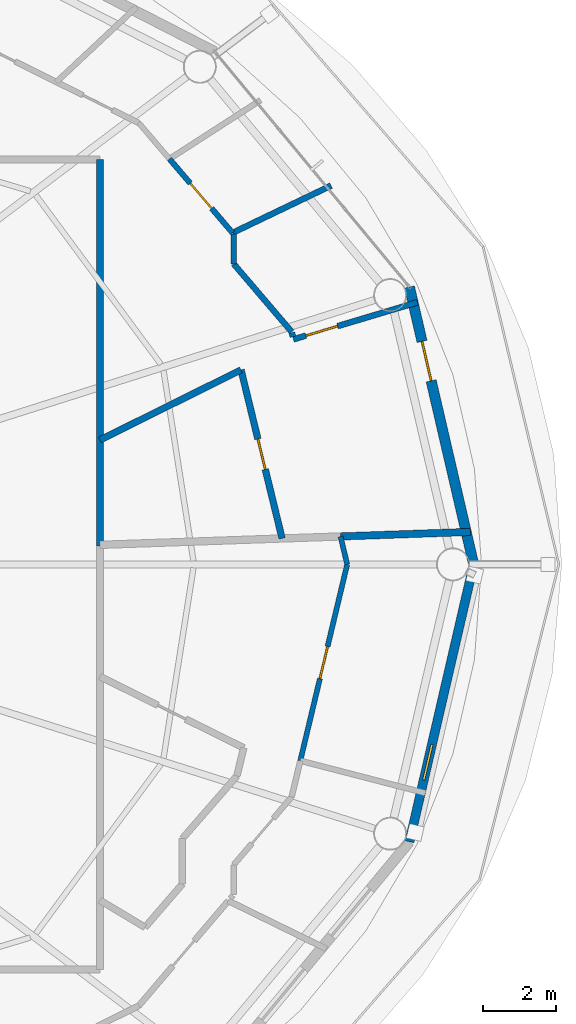
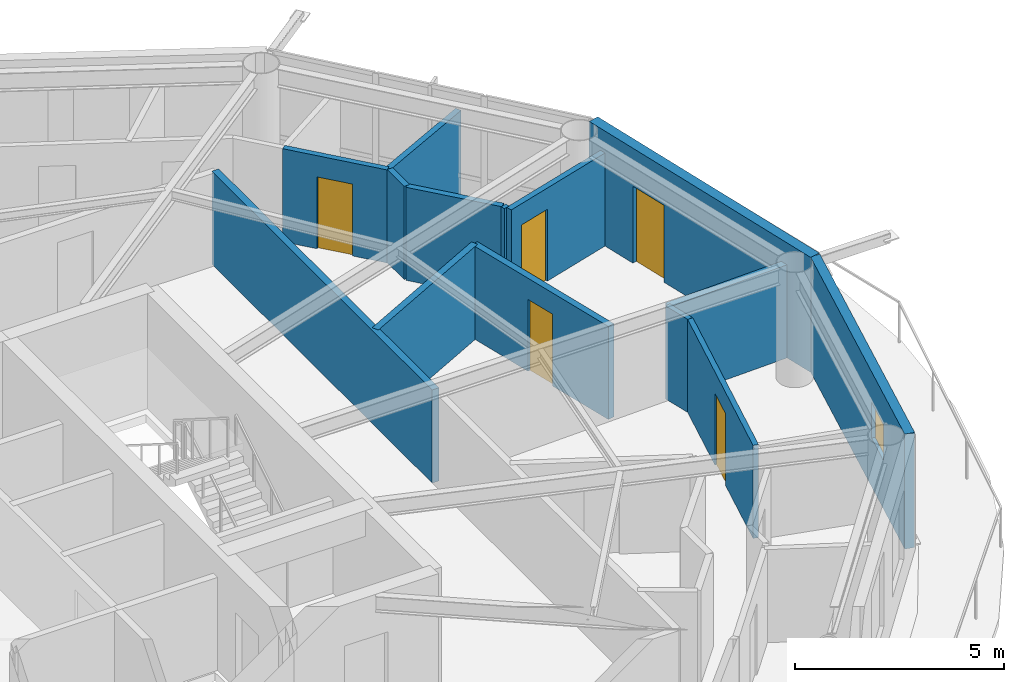
# One storey, part 18 of 23: 14 walls, 5 doors, 1 window, 6 openings.
"""IFC4 building model written with IfcOpenShell, lengths in metres."""

import ifcopenshell
import ifcopenshell.guid

model = None  # the IFC model being written
_history = None  # IfcOwnerHistory: only IFC2X3 demands one
_inside = {}  # id of a spatial element -> (the spatial element, [elements in it])
_under = {}  # id of a project, library or spatial element -> (it, [spatial elements below it])
_declared = {}  # id of a project -> (the project, [libraries it declares])
_typed = {}  # id of a type object -> (the type object, [elements of that type])
_made_of = {}  # id of a material, layer set ... -> (it, [elements and type objects made of it])


def new_model(schema):
    """Start an empty IFC model of exactly this schema.

    Asked for "IFC4X3", IfcOpenShell would pick the latest addendum, in which some entities
    have other attributes; the version numbers below select the first issue.
    IFC2X3 requires an IfcOwnerHistory on every rooted entity: one is made here for all.
    """
    global model, _history
    if schema == "IFC4X3":
        model = ifcopenshell.file(schema_version=(4, 3, 0, 0))
    else:
        model = ifcopenshell.file(schema=schema)
    _inside.clear()
    _under.clear()
    _declared.clear()
    _typed.clear()
    _made_of.clear()
    _history = None
    if model.schema == "IFC2X3":
        org = make("IfcOrganization", Name="unknown")
        user = make(
            "IfcPersonAndOrganization",
            ThePerson=make("IfcPerson", FamilyName="unknown"),
            TheOrganization=org,
        )
        app = make(
            "IfcApplication",
            ApplicationDeveloper=org,
            Version="unknown",
            ApplicationFullName="unknown",
            ApplicationIdentifier="unknown",
        )
        _history = make(
            "IfcOwnerHistory",
            OwningUser=user,
            OwningApplication=app,
            ChangeAction="ADDED",
            CreationDate=0,
        )
    return model


def make(cls, **values):
    """One entity of the class cls with the attributes given. An attribute that is None is left unset."""
    return model.create_entity(
        cls, **{name: value for name, value in values.items() if value is not None}
    )


def rooted(cls, **values):
    """An entity with a GlobalId (a new one), such as an element, a storey or a relation."""
    return make(cls, GlobalId=ifcopenshell.guid.new(), OwnerHistory=_history, **values)


def si_unit(unit_type, name, prefix=None):
    """IfcSIUnit, for example si_unit("LENGTHUNIT", "METRE", prefix="MILLI")."""
    return make("IfcSIUnit", UnitType=unit_type, Prefix=prefix, Name=name)


def assignment(units):
    """IfcUnitAssignment: the units of a project."""
    return None if units is None else make("IfcUnitAssignment", Units=units)


def point(xyz):
    """IfcCartesianPoint."""
    return None if xyz is None else make("IfcCartesianPoint", Coordinates=xyz)


def direction(xyz):
    """IfcDirection."""
    return None if xyz is None else make("IfcDirection", DirectionRatios=xyz)


def frame(location, z_axis=None, x_axis=None):
    """IfcAxis2Placement3D, a coordinate frame: its origin and axes. An axis left out is left unset."""
    return make(
        "IfcAxis2Placement3D",
        Location=point(location),
        Axis=direction(z_axis),
        RefDirection=direction(x_axis),
    )


def frame_2d(location, x_axis=None):
    """IfcAxis2Placement2D, a coordinate frame in the plane: its origin and x axis."""
    return make(
        "IfcAxis2Placement2D", Location=point(location), RefDirection=direction(x_axis)
    )


def origin():
    """The frame at (0, 0, 0) with its axes left unset."""
    return frame((0.0, 0.0, 0.0))


def place(relative_to, where):
    """IfcLocalPlacement: puts the frame where relative to a parent placement (None: the world)."""
    return make(
        "IfcLocalPlacement", PlacementRelTo=relative_to, RelativePlacement=where
    )


def context(
    kind, dimensions, precision=None, world=None, true_north=None, identifier=None
):
    """IfcGeometricRepresentationContext, for example the 3D "Model" context."""
    return make(
        "IfcGeometricRepresentationContext",
        ContextIdentifier=identifier,
        ContextType=kind,
        CoordinateSpaceDimension=dimensions,
        Precision=precision,
        WorldCoordinateSystem=world,
        TrueNorth=true_north,
    )


def subcontext(parent, identifier, kind, view, scale=None):
    """IfcGeometricRepresentationSubContext, for example "Body" below "Model"."""
    return make(
        "IfcGeometricRepresentationSubContext",
        ContextIdentifier=identifier,
        ContextType=kind,
        ParentContext=parent,
        TargetScale=scale,
        TargetView=view,
    )


def project(units=None, contexts=None):
    """IfcProject with its units and contexts."""
    return rooted(
        "IfcProject",
        Name="project",
        RepresentationContexts=contexts,
        UnitsInContext=assignment(units),
    )


def spatial(cls, under=None, at=None, **own):
    """A site, building, storey or space (cls), placed at a placement, below another one or the project."""
    s = rooted(cls, ObjectPlacement=at, **own)
    if under is not None:
        _under.setdefault(under.id(), (under, []))[1].append(s)
    return s


def profile(cls, at=None, kind="AREA", **sizes):
    """A parametric profile (cls). Its sizes go by their IFC names, for example OverallWidth=200.0."""
    return make(cls, ProfileType=kind, Position=at, **sizes)


def rectangle(**sizes):
    """IfcRectangleProfileDef."""
    return profile("IfcRectangleProfileDef", **sizes)


def extrude(swept, where, along, depth):
    """IfcExtrudedAreaSolid: the profile swept, set in the frame where, extruded along a direction by depth."""
    return make(
        "IfcExtrudedAreaSolid",
        SweptArea=swept,
        Position=where,
        ExtrudedDirection=direction(along),
        Depth=depth,
    )


def shape(context_of_items, identifier, shape_type, items):
    """IfcShapeRepresentation: the items that make up one representation, for example the "Body"."""
    return make(
        "IfcShapeRepresentation",
        ContextOfItems=context_of_items,
        RepresentationIdentifier=identifier,
        RepresentationType=shape_type,
        Items=items,
    )


def material(Name=None, Category=None):
    """IfcMaterial."""
    return make("IfcMaterial", Name=Name, Category=Category)


def layer(
    of_material, thickness, ventilated=None, Name=None, Category=None, Priority=None
):
    """IfcMaterialLayer: one layer of a wall or slab, of a material (None: an air gap)."""
    return make(
        "IfcMaterialLayer",
        Material=of_material,
        LayerThickness=thickness,
        IsVentilated=ventilated,
        Name=Name,
        Category=Category,
        Priority=Priority,
    )


def layer_set(layers, Name=None):
    """IfcMaterialLayerSet."""
    return make("IfcMaterialLayerSet", MaterialLayers=layers, LayerSetName=Name)


def made_of(thing, what):
    """Note that an element or type object is made of a material, layer set ...; save() writes the relation."""
    if what is not None:
        _made_of.setdefault(what.id(), (what, []))[1].append(thing)
    return thing


def type_object(cls, material=None, **own):
    """A type object (cls), such as IfcWallType, which elements share."""
    return made_of(rooted(cls, **own), material)


def element(
    cls,
    number,
    at=None,
    inside=None,
    cuts=None,
    type_object=None,
    material=None,
    context=None,
    identifier="Body",
    shape_type=None,
    held_by="IfcProductDefinitionShape",
    body=None,
    shapes=None,
    **own,
):
    """One element of the class cls, such as IfcWall. Its Tag is "e" and its number.

    at: its placement. inside: the storey or other place that contains it. cuts: it is an
    opening in that element (IfcRelVoidsElement). A single representation is given by context,
    identifier, shape_type and body (its items); several are given by shapes. held_by: the class
    of the entity that holds the representations. save() writes the other relations.
    """
    e = rooted(cls, Tag="e%d" % number, ObjectPlacement=at, **own)
    if body is not None:
        shapes = [shape(context, identifier, shape_type, body)]
    if shapes is not None:
        e.Representation = make(held_by, Representations=shapes)
    if inside is not None:
        _inside.setdefault(inside.id(), (inside, []))[1].append(e)
    if cuts is not None:
        rooted(
            "IfcRelVoidsElement", RelatingBuildingElement=cuts, RelatedOpeningElement=e
        )
    if type_object is not None:
        _typed.setdefault(type_object.id(), (type_object, []))[1].append(e)
    return made_of(e, material)


def fill(opening, filler):
    """IfcRelFillsElement: the door or window that sits in an opening."""
    return rooted(
        "IfcRelFillsElement",
        RelatingOpeningElement=opening,
        RelatedBuildingElement=filler,
    )


def aggregate(whole, parts):
    """IfcRelAggregates: a whole, such as a stair, and the parts it consists of."""
    return rooted("IfcRelAggregates", RelatingObject=whole, RelatedObjects=parts)


def save(model, path):
    """Write the relations noted so far, then the file.

    IfcRelAggregates (storeys below a building ...), IfcRelContainedInSpatialStructure (elements
    in a storey), IfcRelDefinesByType, IfcRelAssociatesMaterial and IfcRelDeclares: one each for
    every whole, place, type object, material and project.
    """
    for whole, parts in _under.values():
        aggregate(whole, parts)
    for where, things in _inside.values():
        rooted(
            "IfcRelContainedInSpatialStructure",
            RelatedElements=things,
            RelatingStructure=where,
        )
    for kind, things in _typed.values():
        rooted("IfcRelDefinesByType", RelatedObjects=things, RelatingType=kind)
    for what, things in _made_of.values():
        rooted("IfcRelAssociatesMaterial", RelatedObjects=things, RelatingMaterial=what)
    for by, libraries in _declared.values():
        rooted("IfcRelDeclares", RelatingContext=by, RelatedDefinitions=libraries)
    model.write(path)


model = new_model("IFC4")

# Units and contexts
model_context = context("Model", 3, precision=1e-05, world=origin(), true_north=direction((0.0, 1.0)))
body_context = subcontext(model_context, "Body", "Model", "MODEL_VIEW")
ifc_project = project(units=[si_unit("LENGTHUNIT", "METRE"), si_unit("AREAUNIT", "SQUARE_METRE"), si_unit("VOLUMEUNIT", "CUBIC_METRE"), si_unit("PLANEANGLEUNIT", "RADIAN"), si_unit("MASSUNIT", "GRAM", prefix="KILO")], contexts=[model_context])

# Site, building, storey
site_placement = place(None, origin())
site = spatial("IfcSite", under=ifc_project, at=site_placement, CompositionType="ELEMENT")
building_placement = place(site_placement, origin())
building = spatial("IfcBuilding", under=site, at=building_placement, Name="Sarneth Arch Tower", CompositionType="ELEMENT")
storey_placement = place(building_placement, frame((0.0, 0.0, 228.0)))
storey = spatial("IfcBuildingStorey", under=building, at=storey_placement, Name="L58", CompositionType="ELEMENT", Elevation=228.0)

# Wall
ifc_material_1 = material(Name="Double steel-stud corridor fire wall", Category="steel")
ifc_layer_1 = layer(ifc_material_1, 0.18994140625)
ifc_layer_set_1 = layer_set([ifc_layer_1], Name="Double steel-stud corridor fire wall")
wall_type_1 = type_object("IfcWallType", Name="WALL-CORR-190", PredefinedType="PARTITIONING", material=ifc_layer_set_1)
wall_1_placement = place(storey_placement, frame((63.25, 53.050048828125, 0.0), z_axis=(0.0, 0.0, 1.0), x_axis=(0.0, -1.0, 0.0)))
element("IfcWall", 1, at=wall_1_placement, inside=storey, type_object=wall_type_1, Name="L58 Interior partition W-L58-TP-002", PredefinedType="PARTITIONING", context=body_context, shape_type="SweptSolid", body=[
    extrude(rectangle(XDim=10.549560546875, YDim=0.18994140625, at=frame_2d((5.27490234375, 0.0))), origin(), (0.0, 0.0, 1.0), 2.719970703125),
])

# Wall, opening, window
ifc_material_2 = material(Name="Extruded terracotta rainscreen on Concrete C40/50 backing", Category="masonry")
ifc_layer_2 = layer(ifc_material_2, 0.25)
ifc_layer_set_2 = layer_set([ifc_layer_2], Name="Extruded terracotta rainscreen on Concrete C40/50 backing")
wall_type_2 = type_object("IfcWallType", Name="WALL-EXT-SPAND-250", PredefinedType="SOLIDWALL", material=ifc_layer_set_2)
wall_2_placement = place(storey_placement, frame((71.69384765625, 34.430419921875, 0.0), z_axis=(0.0, 0.0, 1.0), x_axis=(0.225635078214, 0.974211892495, 0.0)))
wall_2 = element("IfcWall", 2, at=wall_2_placement, inside=storey, type_object=wall_type_2, Name="L58 Terracotta perimeter wall 16", PredefinedType="SOLIDWALL", context=body_context, shape_type="SweptSolid", body=[
    extrude(rectangle(XDim=7.77001953125, YDim=0.25, at=frame_2d((3.885009765625, 0.0))), origin(), (0.0, 0.0, 1.0), 3.360107421875),
])
opening_1_placement = place(wall_2_placement, frame((1.730224609375, 0.0, 1.419921875)))
opening_1 = element("IfcOpeningElement", 3, at=opening_1_placement, cuts=wall_2, Name="Opening W-14", PredefinedType="OPENING", context=body_context, shape_type="SweptSolid", body=[
    extrude(rectangle(XDim=1.0, YDim=1.050048828125, at=frame_2d((0.5, 0.52490234375))), frame((0.0, 0.135009765625, 0.0), z_axis=(0.0, -1.0, 0.0), x_axis=(1.0, 0.0, 0.0)), (0.0, 0.0, 1.0), 0.27001953125),
])
ifc_material_3 = material(Name="Thermally broken Aluminium 6063-T6 and low-e laminated IGU", Category="aluminium")
window_type = type_object("IfcWindowType", Name="WIN-TWR-1000x1050", PartitioningType="SINGLE_PANEL", PredefinedType="WINDOW", material=ifc_material_3)
window_placement = place(opening_1_placement, origin())
window = element("IfcWindow", 4, at=window_placement, inside=storey, type_object=window_type, Name="L58 Dwelling bedroom window 06", OverallHeight=1.050048828125, OverallWidth=1.0, PartitioningType="SINGLE_PANEL", PredefinedType="WINDOW", context=body_context, shape_type="SweptSolid", body=[
    extrude(rectangle(XDim=1.0, YDim=1.050048828125, at=frame_2d((0.5, 0.52490234375))), frame((0.0, 0.030029296875, 0.0), z_axis=(0.0, -1.0, 0.0), x_axis=(1.0, 0.0, 0.0)), (0.0, 0.0, 1.0), 0.06005859375),
])
fill(opening_1, window)

# Wall, opening, door
ifc_material_4 = material(Name="Extruded terracotta rainscreen on Concrete C40/50 backing", Category="masonry")
ifc_layer_3 = layer(ifc_material_4, 0.280029296875)
ifc_layer_set_3 = layer_set([ifc_layer_3], Name="Extruded terracotta rainscreen on Concrete C40/50 backing")
wall_type_3 = type_object("IfcWallType", Name="WALL-EXT-TERRA-280", PredefinedType="SOLIDWALL", material=ifc_layer_set_3)
wall_3_placement = place(storey_placement, frame((73.447021484375, 42.0, 0.0), z_axis=(0.0, 0.0, 1.0), x_axis=(-0.225635078214, 0.974211892495, 0.0)))
wall_3 = element("IfcWall", 5, at=wall_3_placement, inside=storey, type_object=wall_type_3, Name="L58 Terracotta perimeter wall 01", PredefinedType="SOLIDWALL", context=body_context, shape_type="SweptSolid", body=[
    extrude(rectangle(XDim=7.77001953125, YDim=0.280029296875, at=frame_2d((3.885009765625, 0.0))), origin(), (0.0, 0.0, 1.0), 3.360107421875),
])
opening_2_placement = place(wall_3_placement, frame((5.14208984375, 0.0, 0.0)))
opening_2 = element("IfcOpeningElement", 6, at=opening_2_placement, cuts=wall_3, Name="Opening BD-3", PredefinedType="OPENING", context=body_context, shape_type="SweptSolid", body=[
    extrude(rectangle(XDim=1.10009765625, YDim=2.25, at=frame_2d((0.550048828125, 1.125))), frame((0.0, 0.14990234375, 0.0), z_axis=(0.0, -1.0, 0.0), x_axis=(1.0, 0.0, 0.0)), (0.0, 0.0, 1.0), 0.300048828125),
])
ifc_material_5 = material(Name="Thermally broken Aluminium 6063-T6 and laminated safety glass", Category="aluminium")
door_type_1 = type_object("IfcDoorType", Name="DR-BALC-GLZ-1100", OperationType="SINGLE_SWING_LEFT", PredefinedType="DOOR", material=ifc_material_5)
door_1_placement = place(opening_2_placement, origin())
door_1 = element("IfcDoor", 7, at=door_1_placement, inside=storey, type_object=door_type_1, Name="L58 Balcony glazed door 01", OperationType="SINGLE_SWING_LEFT", OverallHeight=2.25, OverallWidth=1.10009765625, PredefinedType="DOOR", context=body_context, shape_type="SweptSolid", body=[
    extrude(rectangle(XDim=1.10009765625, YDim=2.25, at=frame_2d((0.550048828125, 1.125))), frame((0.0, 0.02490234375, 0.0), z_axis=(0.0, -1.0, 0.0), x_axis=(1.0, 0.0, 0.0)), (0.0, 0.0, 1.0), 0.050048828125),
])
fill(opening_2, door_1)

ifc_material_6 = material(Name="Apartment internal stud partition", Category="gypsum")
ifc_layer_4 = layer(ifc_material_6, 0.139892578125)
ifc_layer_set_4 = layer_set([ifc_layer_4], Name="Apartment internal stud partition")
wall_type_4 = type_object("IfcWallType", Name="WALL-PART-140", PredefinedType="PARTITIONING", material=ifc_layer_set_4)
wall_4_placement = place(storey_placement, frame((68.716796875, 36.642333984375, 0.0), z_axis=(0.0, 0.0, 1.0), x_axis=(0.23229157949, 0.972646195745, 0.0)))
wall_4 = element("IfcWall", 8, at=wall_4_placement, inside=storey, type_object=wall_type_4, Name="L58 Interior partition W-L58-TP-107", PredefinedType="PARTITIONING", context=body_context, shape_type="SweptSolid", body=[
    extrude(rectangle(XDim=5.50830078125, YDim=0.139892578125, at=frame_2d((2.754150390625, 0.0))), origin(), (0.0, 0.0, 1.0), 2.719970703125),
])
opening_3_placement = place(wall_4_placement, frame((2.30419921875, 0.0, 0.0)))
opening_3 = element("IfcOpeningElement", 9, at=opening_3_placement, cuts=wall_4, Name="Opening ID-01", PredefinedType="OPENING", context=body_context, shape_type="SweptSolid", body=[
    extrude(rectangle(XDim=0.89990234375, YDim=2.10009765625, at=frame_2d((0.449951171875, 1.050048828125))), frame((0.0, 0.079833984375, 0.0), z_axis=(0.0, -1.0, 0.0), x_axis=(1.0, 0.0, 0.0)), (0.0, 0.0, 1.0), 0.159912109375),
])
ifc_material_7 = material(Name="Engineered hardwood flush door", Category="wood")
door_type_2 = type_object("IfcDoorType", Name="DR-INT-900", OperationType="SINGLE_SWING_LEFT", PredefinedType="DOOR", material=ifc_material_7)
door_2_placement = place(opening_3_placement, origin())
door_2 = element("IfcDoor", 10, at=door_2_placement, inside=storey, type_object=door_type_2, Name="L58 Interior door DR-L58-U6-BED2", OperationType="SINGLE_SWING_LEFT", OverallHeight=2.10009765625, OverallWidth=0.89990234375, PredefinedType="DOOR", context=body_context, shape_type="SweptSolid", body=[
    extrude(rectangle(XDim=0.89990234375, YDim=2.10009765625, at=frame_2d((0.449951171875, 1.050048828125))), frame((0.0, 0.02490234375, 0.0), z_axis=(0.0, -1.0, 0.0), x_axis=(1.0, 0.0, 0.0)), (0.0, 0.0, 1.0), 0.050048828125),
])
fill(opening_3, door_2)

# Wall
wall_5_placement = place(storey_placement, frame((69.996337890625, 42.0, 0.0), z_axis=(0.0, 0.0, 1.0), x_axis=(-0.232252672351, 0.972655486894, 0.0)))
element("IfcWall", 11, at=wall_5_placement, inside=storey, type_object=wall_type_4, Name="L58 Interior partition W-L58-TP-108", PredefinedType="PARTITIONING", context=body_context, shape_type="SweptSolid", body=[
    extrude(rectangle(XDim=0.783203125, YDim=0.139892578125, at=frame_2d((0.3916015625, 0.0))), origin(), (0.0, 0.0, 1.0), 2.719970703125),
])

# Wall, opening, door
ifc_material_8 = material(Name="Acoustic gypsum stud partition", Category="gypsum")
ifc_layer_5 = layer(ifc_material_8, 0.14990234375)
ifc_layer_set_5 = layer_set([ifc_layer_5], Name="Acoustic gypsum stud partition")
wall_type_5 = type_object("IfcWallType", Name="WALL-PART-150", PredefinedType="PARTITIONING", material=ifc_layer_set_5)
wall_6_placement = place(storey_placement, frame((66.867919921875, 51.044677734375, 0.0), z_axis=(0.0, 0.0, 1.0), x_axis=(-0.648999908332, 0.760788485051, 0.0)))
wall_6 = element("IfcWall", 12, at=wall_6_placement, inside=storey, type_object=wall_type_5, Name="L58 Interior partition W-L58-TP-021", PredefinedType="PARTITIONING", context=body_context, shape_type="SweptSolid", body=[
    extrude(rectangle(XDim=2.6513671875, YDim=0.14990234375, at=frame_2d((1.32568359375, 0.0))), origin(), (0.0, 0.0, 1.0), 2.719970703125),
])
opening_4_placement = place(wall_6_placement, frame((0.87548828125, 0.0, 0.0)))
opening_4 = element("IfcOpeningElement", 13, at=opening_4_placement, cuts=wall_6, Name="Opening ID-01", PredefinedType="OPENING", context=body_context, shape_type="SweptSolid", body=[
    extrude(rectangle(XDim=0.89990234375, YDim=2.10009765625, at=frame_2d((0.449951171875, 1.050048828125))), frame((0.0, 0.0849609375, 0.0), z_axis=(0.0, -1.0, 0.0), x_axis=(1.0, 0.0, 0.0)), (0.0, 0.0, 1.0), 0.169921875),
])
door_3_placement = place(opening_4_placement, origin())
door_3 = element("IfcDoor", 14, at=door_3_placement, inside=storey, type_object=door_type_2, Name="L58 Interior door DR-L58-U1-STD", OperationType="SINGLE_SWING_LEFT", OverallHeight=2.10009765625, OverallWidth=0.89990234375, PredefinedType="DOOR", context=body_context, shape_type="SweptSolid", body=[
    extrude(rectangle(XDim=0.89990234375, YDim=2.10009765625, at=frame_2d((0.449951171875, 1.050048828125))), frame((0.0, 0.02490234375, 0.0), z_axis=(0.0, -1.0, 0.0), x_axis=(1.0, 0.0, 0.0)), (0.0, 0.0, 1.0), 0.050048828125),
])
fill(opening_4, door_3)

ifc_material_9 = material(Name="Kitchen wet service chase wall", Category="gypsum")
ifc_layer_6 = layer(ifc_material_9, 0.159912109375)
ifc_layer_set_6 = layer_set([ifc_layer_6], Name="Kitchen wet service chase wall")
wall_type_6 = type_object("IfcWallType", Name="WALL-PLUMB-160", PredefinedType="PLUMBINGWALL", material=ifc_layer_set_6)
wall_7_placement = place(storey_placement, frame((71.913818359375, 49.150634765625, 0.0), z_axis=(0.0, 0.0, 1.0), x_axis=(-0.958092232413, -0.286459899792, 0.0)))
wall_7 = element("IfcWall", 15, at=wall_7_placement, inside=storey, type_object=wall_type_6, Name="L58 Interior partition W-L58-TP-022", PredefinedType="PLUMBINGWALL", context=body_context, shape_type="SweptSolid", body=[
    extrude(rectangle(XDim=3.53173828125, YDim=0.159912109375, at=frame_2d((1.765869140625, 0.0))), origin(), (0.0, 0.0, 1.0), 2.719970703125),
])
opening_5_placement = place(wall_7_placement, frame((2.27587890625, 0.0, 0.0)))
opening_5 = element("IfcOpeningElement", 16, at=opening_5_placement, cuts=wall_7, Name="Opening ID-01", PredefinedType="OPENING", context=body_context, shape_type="SweptSolid", body=[
    extrude(rectangle(XDim=0.89990234375, YDim=2.10009765625, at=frame_2d((0.449951171875, 1.050048828125))), frame((0.0, 0.08984375, 0.0), z_axis=(0.0, -1.0, 0.0), x_axis=(1.0, 0.0, 0.0)), (0.0, 0.0, 1.0), 0.179931640625),
])
door_4_placement = place(opening_5_placement, origin())
door_4 = element("IfcDoor", 17, at=door_4_placement, inside=storey, type_object=door_type_2, Name="L58 Interior door DR-L58-U1-KIT", OperationType="SINGLE_SWING_RIGHT", OverallHeight=2.10009765625, OverallWidth=0.89990234375, PredefinedType="DOOR", context=body_context, shape_type="SweptSolid", body=[
    extrude(rectangle(XDim=0.89990234375, YDim=2.10009765625, at=frame_2d((0.449951171875, 1.050048828125))), frame((0.0, 0.02490234375, 0.0), z_axis=(0.0, -1.0, 0.0), x_axis=(1.0, 0.0, 0.0)), (0.0, 0.0, 1.0), 0.050048828125),
])
fill(opening_5, door_4)

# Walls
wall_8_placement = place(storey_placement, frame((66.867919921875, 51.044677734375, 0.0), z_axis=(0.0, 0.0, 1.0), x_axis=(0.901737580953, 0.4322838594, 0.0)))
element("IfcWall", 18, at=wall_8_placement, inside=storey, type_object=wall_type_6, Name="L58 Interior partition W-L58-TP-035", PredefinedType="PLUMBINGWALL", context=body_context, shape_type="SweptSolid", body=[
    extrude(rectangle(XDim=2.98193359375, YDim=0.159912109375, at=frame_2d((1.490966796875, 0.0))), origin(), (0.0, 0.0, 1.0), 2.719970703125),
])
wall_9_placement = place(storey_placement, frame((68.48095703125, 48.344970703125, 0.0), z_axis=(0.0, 0.0, 1.0), x_axis=(-0.649270866973, 0.760557257082, 0.0)))
element("IfcWall", 19, at=wall_9_placement, inside=storey, type_object=wall_type_6, Name="L58 Interior partition W-L58-TP-024", PredefinedType="PLUMBINGWALL", context=body_context, shape_type="SweptSolid", body=[
    extrude(rectangle(XDim=2.43505859375, YDim=0.159912109375, at=frame_2d((1.217529296875, 0.0))), origin(), (0.0, 0.0, 1.0), 2.719970703125),
])
wall_10_placement = place(storey_placement, frame((66.89990234375, 50.197021484375, 0.0), z_axis=(0.0, 0.0, 1.0), x_axis=(0.0, 1.0, 0.0)))
element("IfcWall", 20, at=wall_10_placement, inside=storey, type_object=wall_type_6, Name="L58 Interior partition W-L58-TP-025", PredefinedType="PLUMBINGWALL", context=body_context, shape_type="SweptSolid", body=[
    extrude(rectangle(XDim=0.81005859375, YDim=0.159912109375, at=frame_2d((0.405029296875, 0.0))), origin(), (0.0, 0.0, 1.0), 2.719970703125),
])
wall_11_placement = place(storey_placement, frame((68.513427734375, 48.208984375, 0.0), z_axis=(0.0, 0.0, 1.0), x_axis=(-0.232095920474, 0.972692903078, 0.0)))
element("IfcWall", 21, at=wall_11_placement, inside=storey, type_object=wall_type_6, Name="L58 Interior partition W-L58-TP-023", PredefinedType="PLUMBINGWALL", context=body_context, shape_type="SweptSolid", body=[
    extrude(rectangle(XDim=0.11572265625, YDim=0.159912109375, at=frame_2d((0.057861328125, 0.0))), origin(), (0.0, 0.0, 1.0), 2.719970703125),
])

# Wall, opening, door
ifc_material_10 = material(Name="Moisture-resistant plumbing chase wall", Category="gypsum")
ifc_layer_7 = layer(ifc_material_10, 0.179931640625)
ifc_layer_set_7 = layer_set([ifc_layer_7], Name="Moisture-resistant plumbing chase wall")
wall_type_7 = type_object("IfcWallType", Name="WALL-PLUMB-180", PredefinedType="PLUMBINGWALL", material=ifc_layer_set_7)
wall_12_placement = place(storey_placement, frame((67.1005859375, 47.30615234375, 0.0), z_axis=(0.0, 0.0, 1.0), x_axis=(0.236585789581, -0.971610603158, 0.0)))
wall_12 = element("IfcWall", 22, at=wall_12_placement, inside=storey, type_object=wall_type_7, Name="L58 Interior partition W-L58-TP-027", PredefinedType="PLUMBINGWALL", context=body_context, shape_type="SweptSolid", body=[
    extrude(rectangle(XDim=4.734619140625, YDim=0.179931640625, at=frame_2d((2.3671875, 0.0))), origin(), (0.0, 0.0, 1.0), 2.719970703125),
])
opening_6_placement = place(wall_12_placement, frame((1.942138671875, 0.0, 0.0)))
opening_6 = element("IfcOpeningElement", 23, at=opening_6_placement, cuts=wall_12, Name="Opening ID-02", PredefinedType="OPENING", context=body_context, shape_type="SweptSolid", body=[
    extrude(rectangle(XDim=0.85009765625, YDim=2.10009765625, at=frame_2d((0.425048828125, 1.050048828125))), frame((0.0, 0.099853515625, 0.0), z_axis=(0.0, -1.0, 0.0), x_axis=(1.0, 0.0, 0.0)), (0.0, 0.0, 1.0), 0.199951171875),
])
ifc_material_11 = material(Name="Moisture-resistant bathroom timber door", Category="wood")
door_type_3 = type_object("IfcDoorType", Name="DR-INT-850", OperationType="SINGLE_SWING_RIGHT", PredefinedType="DOOR", material=ifc_material_11)
door_5_placement = place(opening_6_placement, origin())
door_5 = element("IfcDoor", 24, at=door_5_placement, inside=storey, type_object=door_type_3, Name="L58 Interior door DR-L58-U1-BATH", OperationType="SINGLE_SWING_RIGHT", OverallHeight=2.10009765625, OverallWidth=0.85009765625, PredefinedType="DOOR", context=body_context, shape_type="SweptSolid", body=[
    extrude(rectangle(XDim=0.85009765625, YDim=2.10009765625, at=frame_2d((0.425048828125, 1.050048828125))), frame((0.0, 0.02490234375, 0.0), z_axis=(0.0, -1.0, 0.0), x_axis=(1.0, 0.0, 0.0)), (0.0, 0.0, 1.0), 0.050048828125),
])
fill(opening_6, door_5)

# Walls
wall_13_placement = place(storey_placement, frame((63.25, 45.394287109375, 0.0), z_axis=(0.0, 0.0, 1.0), x_axis=(0.895673054489, 0.444713142893, 0.0)))
element("IfcWall", 25, at=wall_13_placement, inside=storey, type_object=wall_type_7, Name="L58 Interior partition W-L58-TP-026", PredefinedType="PLUMBINGWALL", context=body_context, shape_type="SweptSolid", body=[
    extrude(rectangle(XDim=4.299072265625, YDim=0.179931640625, at=frame_2d((2.1494140625, 0.0))), origin(), (0.0, 0.0, 1.0), 2.719970703125),
])
ifc_material_12 = material(Name="Double steel-stud acoustic drywall", Category="steel")
ifc_layer_8 = layer(ifc_material_12, 0.199951171875)
ifc_layer_set_8 = layer_set([ifc_layer_8], Name="Double steel-stud acoustic drywall")
wall_type_8 = type_object("IfcWallType", Name="WALL-UNIT-200", PredefinedType="PARTITIONING", material=ifc_layer_set_8)
wall_14_placement = place(storey_placement, frame((69.814453125, 42.76171875, 0.0), z_axis=(0.0, 0.0, 1.0), x_axis=(0.999389719612, 0.034931194273, 0.0)))
element("IfcWall", 26, at=wall_14_placement, inside=storey, type_object=wall_type_8, Name="L58 Interior partition W-L58-TP-034", PredefinedType="PARTITIONING", context=body_context, shape_type="SweptSolid", body=[
    extrude(rectangle(XDim=3.550537109375, YDim=0.199951171875, at=frame_2d((1.775390625, 0.0))), origin(), (0.0, 0.0, 1.0), 2.719970703125),
])

save(model, "model.ifc")
